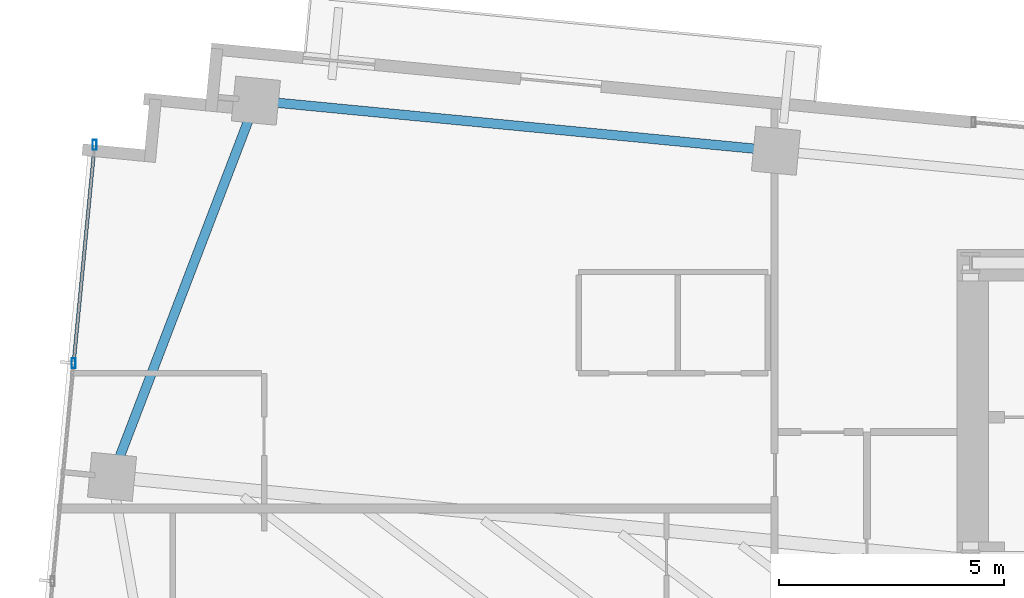
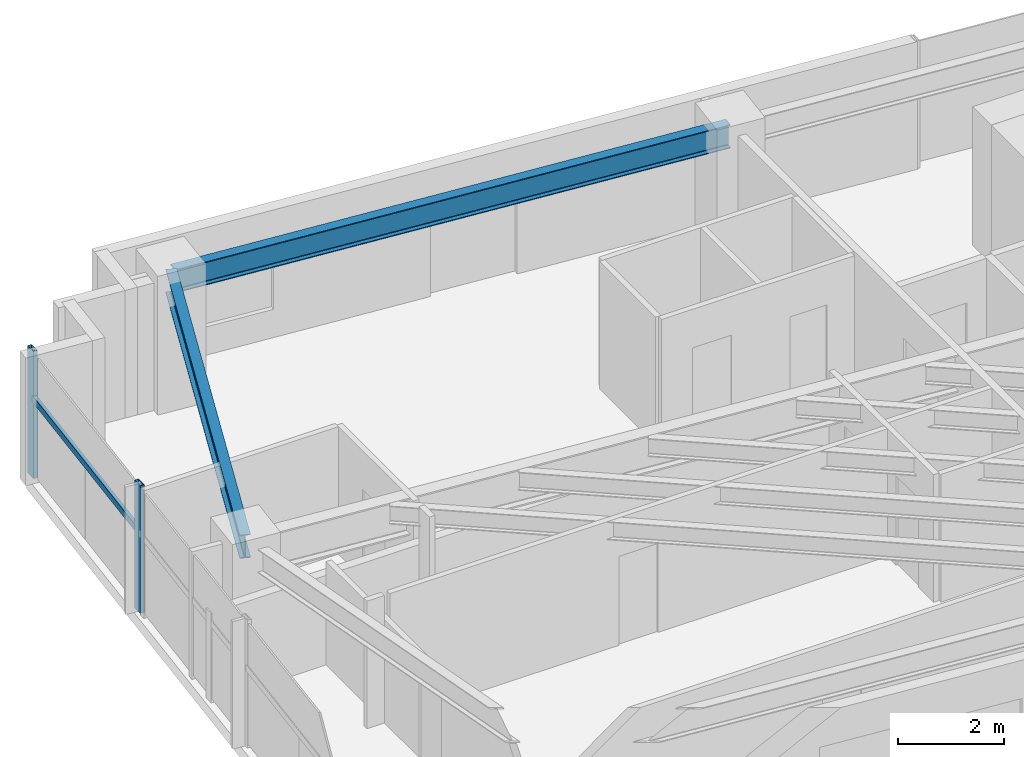
# One storey, part 6 of 20: 3 members, 2 beams, 1 element without a shape of its own.
"""IFC4 building model written with IfcOpenShell, lengths in metres."""

from ifc_helpers import new_model, si_unit, direction, frame, origin, origin_2d, place, context, subcontext, project, spatial, hollow_rectangle, i_section, extrude, source, transform, mapped, material, material_profile, profile_set, type_object, type_shapes, element, aggregate, save


model = new_model("IFC4")

# Units and contexts
model_context = context("Model", 3, precision=1e-05, world=origin(), true_north=direction((0.0, 1.0)))
body_context = subcontext(model_context, "Body", "Model", "MODEL_VIEW")
ifc_project = project(units=[si_unit("LENGTHUNIT", "METRE"), si_unit("AREAUNIT", "SQUARE_METRE"), si_unit("VOLUMEUNIT", "CUBIC_METRE"), si_unit("PLANEANGLEUNIT", "RADIAN"), si_unit("MASSUNIT", "GRAM", prefix="KILO")], contexts=[model_context])

# Site, building, storey
site_placement = place(None, origin())
site = spatial("IfcSite", under=ifc_project, at=site_placement, CompositionType="ELEMENT")
building_placement = place(site_placement, origin())
building = spatial("IfcBuilding", under=site, at=building_placement, Name="Astriad Promenade Condominiums", CompositionType="ELEMENT")
storey_placement = place(building_placement, frame((0.0, 0.0, 156.60009765625)))
storey = spatial("IfcBuildingStorey", under=building, at=storey_placement, Name="L45", CompositionType="ELEMENT", Elevation=156.60009765625)

# Beams
ifc_material_1 = material(Name="Steel ASTM A992 Grade 50", Category="steel")
ifc_material_profile_1 = material_profile(ifc_material_1, i_section(OverallWidth=0.210693359375, OverallDepth=0.53955078125, WebThickness=0.01171875, FlangeThickness=0.018798828125, FilletRadius=0.0166015625, at=origin_2d()), Name="W21X73")
ifc_profile_set_1 = profile_set([ifc_material_profile_1], Name="Steel ASTM A992 Grade 50")
beam_type = type_object("IfcBeamType", Name="STEEL SPANDREL BEAM W21X73", PredefinedType="SPANDREL", material=ifc_profile_set_1)
shared_shape_1 = source(origin(), body_context, "Body", "SweptSolid", [
    extrude(i_section(OverallWidth=0.210693359375, OverallDepth=0.53955078125, WebThickness=0.01171875, FlangeThickness=0.018798828125, FilletRadius=0.0166015625, at=origin_2d()), origin(), (0.0, 0.0, 1.0), 11.52001953125),
])
beam_1_placement = place(storey_placement, frame((22.039794921875, 26.495849609375, 2.670166015625), z_axis=(-0.9953953902, 0.095854145285, 0.0), x_axis=(-0.095854145285, -0.9953953902, 0.0)))
element("IfcBeam", 1, at=beam_1_placement, inside=storey, type_object=beam_type, Name="Perimeter Spandrel Beam SP-N1-L45", PredefinedType="SPANDREL", context=body_context, shape_type="MappedRepresentation", body=[
    mapped(shared_shape_1, transform((0.0, 0.0, 0.0), scale=1.0)),
])
shared_shape_2 = source(origin(), body_context, "Body", "SweptSolid", [
    extrude(i_section(OverallWidth=0.210693359375, OverallDepth=0.53955078125, WebThickness=0.01171875, FlangeThickness=0.018798828125, FilletRadius=0.0166015625, at=origin_2d()), origin(), (0.0, 0.0, 1.0), 8.862548828125),
])
type_shapes(beam_type, [shared_shape_1, shared_shape_2])
beam_2_placement = place(storey_placement, frame((10.518798828125, 27.56640625, 2.670166015625), z_axis=(-0.357322663703, -0.933981003021, 0.0), x_axis=(0.933981003021, -0.357322663703, 0.0)))
element("IfcBeam", 2, at=beam_2_placement, inside=storey, type_object=beam_type, Name="Perimeter Spandrel Beam SP-W2-L45", PredefinedType="SPANDREL", context=body_context, shape_type="MappedRepresentation", body=[
    mapped(shared_shape_2, transform((0.0, 0.0, 0.0), scale=1.0)),
])

# Curtain wall, members
ifc_material_2 = material(Name="Anodised aluminium Black Dark Glass Unitised", Category="aluminium")
curtain_wall_type = type_object("IfcCurtainWallType", Name="CW-B34-DARK", PredefinedType="USERDEFINED", material=ifc_material_2)
curtain_wall_placement = place(storey_placement, origin())
curtain_wall = element("IfcCurtainWall", 3, at=curtain_wall_placement, inside=storey, type_object=curtain_wall_type, Name="CW-L45-W", ObjectType="UNITISED_CURTAIN_WALL", PredefinedType="USERDEFINED")
ifc_material_3 = material(Name="Anodised aluminium 6063-T6 Black", Category="aluminium")
ifc_material_profile_2 = material_profile(ifc_material_3, hollow_rectangle(XDim=0.0849609375, YDim=0.219970703125, WallThickness=0.0048828125, at=origin_2d()), Name="ALU-MUL-85X220")
ifc_profile_set_2 = profile_set([ifc_material_profile_2], Name="Anodised aluminium 6063-T6 Black")
member_type_1 = type_object("IfcMemberType", Name="MUL-ALU-MUL-85X220", PredefinedType="MULLION", material=ifc_profile_set_2)
shared_shape_3 = source(origin(), body_context, "Body", "SweptSolid", [
    extrude(hollow_rectangle(XDim=0.0849609375, YDim=0.219970703125, WallThickness=0.0048828125, at=origin_2d()), origin(), (0.0, 0.0, 1.0), 2.93994140625),
])
type_shapes(member_type_1, [shared_shape_3])
member_1_placement = place(storey_placement, frame((6.486083984375, 21.7783203125, 0.0), z_axis=(0.0, 0.0, 1.0), x_axis=(1.0, 0.0, 0.0)))
member_1 = element("IfcMember", 4, at=member_1_placement, type_object=member_type_1, Name="CW-L45-W-MUL-02", PredefinedType="MULLION", context=body_context, shape_type="MappedRepresentation", body=[
    mapped(shared_shape_3, transform((0.0, 0.0, 0.0), scale=1.0)),
])
member_2_placement = place(storey_placement, frame((6.952392578125, 26.62255859375, 0.0), z_axis=(0.0, 0.0, 1.0), x_axis=(1.0, 0.0, 0.0)))
member_2 = element("IfcMember", 5, at=member_2_placement, type_object=member_type_1, Name="CW-L45-W-MUL-03", PredefinedType="MULLION", context=body_context, shape_type="MappedRepresentation", body=[
    mapped(shared_shape_3, transform((0.0, 0.0, 0.0), scale=1.0)),
])
ifc_material_profile_3 = material_profile(ifc_material_3, hollow_rectangle(XDim=0.074951171875, YDim=0.14990234375, WallThickness=0.004150390625, at=origin_2d()), Name="ALU-TRN-75X150")
ifc_profile_set_3 = profile_set([ifc_material_profile_3], Name="Anodised aluminium 6063-T6 Black")
member_type_2 = type_object("IfcMemberType", Name="TRN-ALU-TRN-75X150", PredefinedType="USERDEFINED", material=ifc_profile_set_3)
shared_shape_4 = source(origin(), body_context, "Body", "SweptSolid", [
    extrude(hollow_rectangle(XDim=0.074951171875, YDim=0.14990234375, WallThickness=0.004150390625, at=origin_2d()), origin(), (0.0, 0.0, 1.0), 4.86669921875),
])
type_shapes(member_type_2, [shared_shape_4])
member_3_placement = place(storey_placement, frame((6.486083984375, 21.7783203125, 1.82275390625), z_axis=(0.095817554883, 0.995398913088, 0.0), x_axis=(-0.995398913088, 0.095817554883, 0.0)))
member_3 = element("IfcMember", 6, at=member_3_placement, type_object=member_type_2, Name="CW-L45-W-TRN-02-0", ObjectType="TRANSOM", PredefinedType="USERDEFINED", context=body_context, shape_type="MappedRepresentation", body=[
    mapped(shared_shape_4, transform((0.0, 0.0, 0.0), scale=1.0)),
])
aggregate(curtain_wall, [member_1, member_2, member_3])

save(model, "model.ifc")
